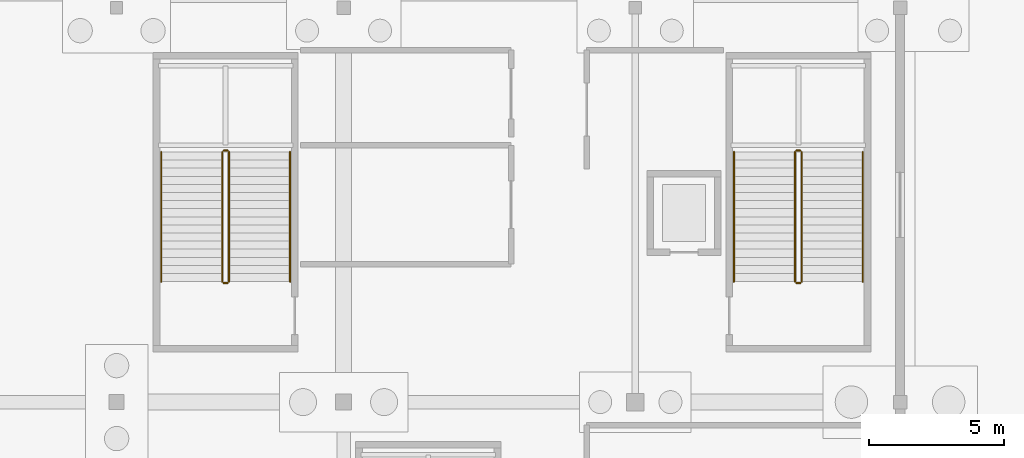
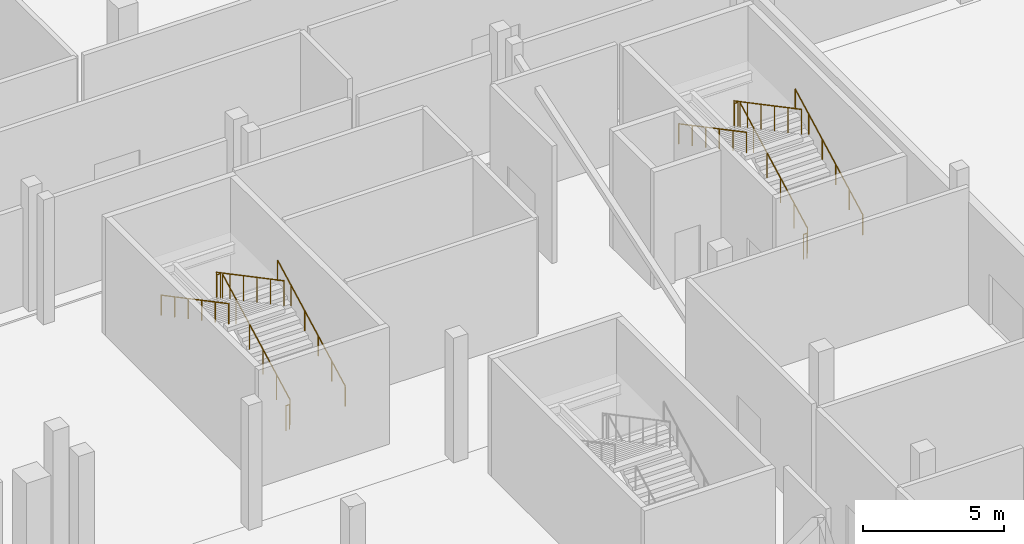
# One storey, part 83 of 89: 12 railings.
"""IFC4 building model written with IfcOpenShell, lengths in metres."""

from ifc_helpers import new_model, si_unit, direction, frame, origin, origin_2d, place, context, subcontext, project, spatial, circle, extrude, material, type_object, element, save


model = new_model("IFC4")

# Units and contexts
model_context = context("Model", 3, precision=1e-05, world=origin(), true_north=direction((0.0, 1.0)))
body_context = subcontext(model_context, "Body", "Model", "MODEL_VIEW")
ifc_project = project(units=[si_unit("LENGTHUNIT", "METRE"), si_unit("AREAUNIT", "SQUARE_METRE"), si_unit("VOLUMEUNIT", "CUBIC_METRE"), si_unit("PLANEANGLEUNIT", "RADIAN"), si_unit("MASSUNIT", "GRAM", prefix="KILO")], contexts=[model_context])

# Site, building, storey
site_placement = place(None, origin())
site = spatial("IfcSite", under=ifc_project, at=site_placement, CompositionType="ELEMENT")
building_placement = place(site_placement, origin())
building = spatial("IfcBuilding", under=site, at=building_placement, Name="Koshinbarg Plaza Stadium", CompositionType="ELEMENT")
storey_placement = place(building_placement, origin())
storey = spatial("IfcBuildingStorey", under=building, at=storey_placement, Name="L00", CompositionType="ELEMENT", Elevation=0.0)

# Railings
ifc_material_1 = material(Name="Galvanized painted steel guardrail", Category="steel")
railing_type_1 = type_object("IfcRailingType", Name="RL-GUARD-1100", PredefinedType="GUARDRAIL", material=ifc_material_1)
railing_1_placement = place(storey_placement, frame((214.760009765625, 116.360107421875, 0.158935546875)))
element("IfcRailing", 1, at=railing_1_placement, inside=storey, type_object=railing_type_1, Name="L00 C10 stair guard 1", PredefinedType="GUARDRAIL", context=body_context, shape_type="SweptSolid", body=[
    extrude(circle(Radius=0.02392578125, at=origin_2d()), frame((0.0, 0.0, 1.076171875), z_axis=(0.0, 0.883792290195, 0.467879458614), x_axis=(-1.0, 0.0, 0.0)), (0.0, 0.0, 1.0), 5.430908203125),
    extrude(circle(Radius=0.02099609375, at=origin_2d()), origin(), (0.0, 0.0, 1.0), 1.052001953125),
    extrude(circle(Radius=0.02099609375, at=origin_2d()), frame((0.0, 0.9599609375, 0.50830078125)), (0.0, 0.0, 1.0), 1.052001953125),
    extrude(circle(Radius=0.02099609375, at=origin_2d()), frame((0.0, 1.919921875, 1.016357421875)), (0.0, 0.0, 1.0), 1.052001953125),
    extrude(circle(Radius=0.02099609375, at=origin_2d()), frame((0.0, 2.8798828125, 1.524658203125)), (0.0, 0.0, 1.0), 1.052001953125),
    extrude(circle(Radius=0.02099609375, at=origin_2d()), frame((0.0, 3.83984375, 2.03271484375)), (0.0, 0.0, 1.0), 1.052001953125),
    extrude(circle(Radius=0.02099609375, at=origin_2d()), frame((0.0, 4.7998046875, 2.541015625)), (0.0, 0.0, 1.0), 1.052001953125),
])
railing_2_placement = place(storey_placement, frame((214.7099609375, 121.2099609375, 2.699951171875)))
element("IfcRailing", 2, at=railing_2_placement, inside=storey, type_object=railing_type_1, Name="L00 C10 stair guard 2", PredefinedType="GUARDRAIL", context=body_context, shape_type="SweptSolid", body=[
    extrude(circle(Radius=0.02392578125, at=origin_2d()), frame((0.0, 0.0, 1.076171875), z_axis=(-1.0, 0.0, 0.0), x_axis=(0.0, -1.0, 0.0)), (0.0, 0.0, 1.0), 0.14990234375),
    extrude(circle(Radius=0.02099609375, at=origin_2d()), origin(), (0.0, 0.0, 1.0), 1.052001953125),
    extrude(circle(Radius=0.02099609375, at=origin_2d()), frame((-0.14990234375, 0.0, 0.0)), (0.0, 0.0, 1.0), 1.052001953125),
])
railing_3_placement = place(storey_placement, frame((214.510009765625, 121.159912109375, 2.85888671875)))
element("IfcRailing", 3, at=railing_3_placement, inside=storey, type_object=railing_type_1, Name="L00 C10 stair guard 3", PredefinedType="GUARDRAIL", context=body_context, shape_type="SweptSolid", body=[
    extrude(circle(Radius=0.02392578125, at=origin_2d()), frame((0.0, 0.0, 1.076171875), z_axis=(0.0, -0.883792290195, 0.467879458614), x_axis=(1.0, 0.0, 0.0)), (0.0, 0.0, 1.0), 5.430908203125),
    extrude(circle(Radius=0.02099609375, at=origin_2d()), origin(), (0.0, 0.0, 1.0), 1.052001953125),
    extrude(circle(Radius=0.02099609375, at=origin_2d()), frame((0.0, -0.9599609375, 0.50830078125)), (0.0, 0.0, 1.0), 1.052001953125),
    extrude(circle(Radius=0.02099609375, at=origin_2d()), frame((0.0, -1.919921875, 1.016357421875)), (0.0, 0.0, 1.0), 1.052001953125),
    extrude(circle(Radius=0.02099609375, at=origin_2d()), frame((0.0, -2.8798828125, 1.524658203125)), (0.0, 0.0, 1.0), 1.052001953125),
    extrude(circle(Radius=0.02099609375, at=origin_2d()), frame((0.0, -3.83984375, 2.03271484375)), (0.0, 0.0, 1.0), 1.052001953125),
    extrude(circle(Radius=0.02099609375, at=origin_2d()), frame((0.0, -4.7998046875, 2.541015625)), (0.0, 0.0, 1.0), 1.052001953125),
])
railing_4_placement = place(storey_placement, frame((214.7099609375, 116.31005859375, 0.0)))
element("IfcRailing", 4, at=railing_4_placement, inside=storey, type_object=railing_type_1, Name="L00 C10 stair guard 4", PredefinedType="GUARDRAIL", context=body_context, shape_type="SweptSolid", body=[
    extrude(circle(Radius=0.02392578125, at=origin_2d()), frame((0.0, 0.0, 1.076171875), z_axis=(-1.0, 0.0, 0.0), x_axis=(0.0, -1.0, 0.0)), (0.0, 0.0, 1.0), 0.14990234375),
    extrude(circle(Radius=0.02099609375, at=origin_2d()), origin(), (0.0, 0.0, 1.0), 1.052001953125),
    extrude(circle(Radius=0.02099609375, at=origin_2d()), frame((-0.14990234375, 0.0, 0.0)), (0.0, 0.0, 1.0), 1.052001953125),
])
railing_5_placement = place(storey_placement, frame((193.56005859375, 116.360107421875, 0.158935546875)))
element("IfcRailing", 5, at=railing_5_placement, inside=storey, type_object=railing_type_1, Name="L00 VL08 stair guard 1", PredefinedType="GUARDRAIL", context=body_context, shape_type="SweptSolid", body=[
    extrude(circle(Radius=0.02392578125, at=origin_2d()), frame((0.0, 0.0, 1.076171875), z_axis=(0.0, 0.883792290195, 0.467879458614), x_axis=(-1.0, 0.0, 0.0)), (0.0, 0.0, 1.0), 5.430908203125),
    extrude(circle(Radius=0.02099609375, at=origin_2d()), origin(), (0.0, 0.0, 1.0), 1.052001953125),
    extrude(circle(Radius=0.02099609375, at=origin_2d()), frame((0.0, 0.9599609375, 0.50830078125)), (0.0, 0.0, 1.0), 1.052001953125),
    extrude(circle(Radius=0.02099609375, at=origin_2d()), frame((0.0, 1.919921875, 1.016357421875)), (0.0, 0.0, 1.0), 1.052001953125),
    extrude(circle(Radius=0.02099609375, at=origin_2d()), frame((0.0, 2.8798828125, 1.524658203125)), (0.0, 0.0, 1.0), 1.052001953125),
    extrude(circle(Radius=0.02099609375, at=origin_2d()), frame((0.0, 3.83984375, 2.03271484375)), (0.0, 0.0, 1.0), 1.052001953125),
    extrude(circle(Radius=0.02099609375, at=origin_2d()), frame((0.0, 4.7998046875, 2.541015625)), (0.0, 0.0, 1.0), 1.052001953125),
])
railing_6_placement = place(storey_placement, frame((193.510009765625, 121.2099609375, 2.699951171875)))
element("IfcRailing", 6, at=railing_6_placement, inside=storey, type_object=railing_type_1, Name="L00 VL08 stair guard 2", PredefinedType="GUARDRAIL", context=body_context, shape_type="SweptSolid", body=[
    extrude(circle(Radius=0.02392578125, at=origin_2d()), frame((0.0, 0.0, 1.076171875), z_axis=(-1.0, 0.0, 0.0), x_axis=(0.0, -1.0, 0.0)), (0.0, 0.0, 1.0), 0.14990234375),
    extrude(circle(Radius=0.02099609375, at=origin_2d()), origin(), (0.0, 0.0, 1.0), 1.052001953125),
    extrude(circle(Radius=0.02099609375, at=origin_2d()), frame((-0.14990234375, 0.0, 0.0)), (0.0, 0.0, 1.0), 1.052001953125),
])
railing_7_placement = place(storey_placement, frame((193.31005859375, 121.159912109375, 2.85888671875)))
element("IfcRailing", 7, at=railing_7_placement, inside=storey, type_object=railing_type_1, Name="L00 VL08 stair guard 3", PredefinedType="GUARDRAIL", context=body_context, shape_type="SweptSolid", body=[
    extrude(circle(Radius=0.02392578125, at=origin_2d()), frame((0.0, 0.0, 1.076171875), z_axis=(0.0, -0.883792290195, 0.467879458614), x_axis=(1.0, 0.0, 0.0)), (0.0, 0.0, 1.0), 5.430908203125),
    extrude(circle(Radius=0.02099609375, at=origin_2d()), origin(), (0.0, 0.0, 1.0), 1.052001953125),
    extrude(circle(Radius=0.02099609375, at=origin_2d()), frame((0.0, -0.9599609375, 0.50830078125)), (0.0, 0.0, 1.0), 1.052001953125),
    extrude(circle(Radius=0.02099609375, at=origin_2d()), frame((0.0, -1.919921875, 1.016357421875)), (0.0, 0.0, 1.0), 1.052001953125),
    extrude(circle(Radius=0.02099609375, at=origin_2d()), frame((0.0, -2.8798828125, 1.524658203125)), (0.0, 0.0, 1.0), 1.052001953125),
    extrude(circle(Radius=0.02099609375, at=origin_2d()), frame((0.0, -3.83984375, 2.03271484375)), (0.0, 0.0, 1.0), 1.052001953125),
    extrude(circle(Radius=0.02099609375, at=origin_2d()), frame((0.0, -4.7998046875, 2.541015625)), (0.0, 0.0, 1.0), 1.052001953125),
])
railing_8_placement = place(storey_placement, frame((193.510009765625, 116.31005859375, 0.0)))
element("IfcRailing", 8, at=railing_8_placement, inside=storey, type_object=railing_type_1, Name="L00 VL08 stair guard 4", PredefinedType="GUARDRAIL", context=body_context, shape_type="SweptSolid", body=[
    extrude(circle(Radius=0.02392578125, at=origin_2d()), frame((0.0, 0.0, 1.076171875), z_axis=(-1.0, 0.0, 0.0), x_axis=(0.0, -1.0, 0.0)), (0.0, 0.0, 1.0), 0.14990234375),
    extrude(circle(Radius=0.02099609375, at=origin_2d()), origin(), (0.0, 0.0, 1.0), 1.052001953125),
    extrude(circle(Radius=0.02099609375, at=origin_2d()), frame((-0.14990234375, 0.0, 0.0)), (0.0, 0.0, 1.0), 1.052001953125),
])
ifc_material_2 = material(Name="Brushed stainless steel handrail", Category="steel")
railing_type_2 = type_object("IfcRailingType", Name="RL-HAND-900", PredefinedType="HANDRAIL", material=ifc_material_2)
railing_9_placement = place(storey_placement, frame((217.02001953125, 116.360107421875, 0.158935546875)))
element("IfcRailing", 9, at=railing_9_placement, inside=storey, type_object=railing_type_2, Name="L00 C10 stair handrail 1", PredefinedType="HANDRAIL", context=body_context, shape_type="SweptSolid", body=[
    extrude(circle(Radius=0.02392578125, at=origin_2d()), frame((0.0, 0.0, 0.8759765625), z_axis=(0.0, 0.883792290195, 0.467879458614), x_axis=(-1.0, 0.0, 0.0)), (0.0, 0.0, 1.0), 5.430908203125),
    extrude(circle(Radius=0.02099609375, at=origin_2d()), origin(), (0.0, 0.0, 1.0), 0.851806640625),
    extrude(circle(Radius=0.02099609375, at=origin_2d()), frame((0.0, 0.9599609375, 0.50830078125)), (0.0, 0.0, 1.0), 0.851806640625),
    extrude(circle(Radius=0.02099609375, at=origin_2d()), frame((0.0, 1.919921875, 1.016357421875)), (0.0, 0.0, 1.0), 0.851806640625),
    extrude(circle(Radius=0.02099609375, at=origin_2d()), frame((0.0, 2.8798828125, 1.524658203125)), (0.0, 0.0, 1.0), 0.851806640625),
    extrude(circle(Radius=0.02099609375, at=origin_2d()), frame((0.0, 3.83984375, 2.03271484375)), (0.0, 0.0, 1.0), 0.851806640625),
    extrude(circle(Radius=0.02099609375, at=origin_2d()), frame((0.0, 4.7998046875, 2.541015625)), (0.0, 0.0, 1.0), 0.851806640625),
])
railing_10_placement = place(storey_placement, frame((212.25, 121.159912109375, 2.85888671875)))
element("IfcRailing", 10, at=railing_10_placement, inside=storey, type_object=railing_type_2, Name="L00 C10 stair handrail 2", PredefinedType="HANDRAIL", context=body_context, shape_type="SweptSolid", body=[
    extrude(circle(Radius=0.02392578125, at=origin_2d()), frame((0.0, 0.0, 0.8759765625), z_axis=(0.0, -0.883792290195, 0.467879458614), x_axis=(1.0, 0.0, 0.0)), (0.0, 0.0, 1.0), 5.430908203125),
    extrude(circle(Radius=0.02099609375, at=origin_2d()), origin(), (0.0, 0.0, 1.0), 0.851806640625),
    extrude(circle(Radius=0.02099609375, at=origin_2d()), frame((0.0, -0.9599609375, 0.50830078125)), (0.0, 0.0, 1.0), 0.851806640625),
    extrude(circle(Radius=0.02099609375, at=origin_2d()), frame((0.0, -1.919921875, 1.016357421875)), (0.0, 0.0, 1.0), 0.851806640625),
    extrude(circle(Radius=0.02099609375, at=origin_2d()), frame((0.0, -2.8798828125, 1.524658203125)), (0.0, 0.0, 1.0), 0.851806640625),
    extrude(circle(Radius=0.02099609375, at=origin_2d()), frame((0.0, -3.83984375, 2.03271484375)), (0.0, 0.0, 1.0), 0.851806640625),
    extrude(circle(Radius=0.02099609375, at=origin_2d()), frame((0.0, -4.7998046875, 2.541015625)), (0.0, 0.0, 1.0), 0.851806640625),
])
railing_11_placement = place(storey_placement, frame((195.820068359375, 116.360107421875, 0.158935546875)))
element("IfcRailing", 11, at=railing_11_placement, inside=storey, type_object=railing_type_2, Name="L00 VL08 stair handrail 1", PredefinedType="HANDRAIL", context=body_context, shape_type="SweptSolid", body=[
    extrude(circle(Radius=0.02392578125, at=origin_2d()), frame((0.0, 0.0, 0.8759765625), z_axis=(0.0, 0.883792290195, 0.467879458614), x_axis=(-1.0, 0.0, 0.0)), (0.0, 0.0, 1.0), 5.430908203125),
    extrude(circle(Radius=0.02099609375, at=origin_2d()), origin(), (0.0, 0.0, 1.0), 0.851806640625),
    extrude(circle(Radius=0.02099609375, at=origin_2d()), frame((0.0, 0.9599609375, 0.50830078125)), (0.0, 0.0, 1.0), 0.851806640625),
    extrude(circle(Radius=0.02099609375, at=origin_2d()), frame((0.0, 1.919921875, 1.016357421875)), (0.0, 0.0, 1.0), 0.851806640625),
    extrude(circle(Radius=0.02099609375, at=origin_2d()), frame((0.0, 2.8798828125, 1.524658203125)), (0.0, 0.0, 1.0), 0.851806640625),
    extrude(circle(Radius=0.02099609375, at=origin_2d()), frame((0.0, 3.83984375, 2.03271484375)), (0.0, 0.0, 1.0), 0.851806640625),
    extrude(circle(Radius=0.02099609375, at=origin_2d()), frame((0.0, 4.7998046875, 2.541015625)), (0.0, 0.0, 1.0), 0.851806640625),
])
railing_12_placement = place(storey_placement, frame((191.050048828125, 121.159912109375, 2.85888671875)))
element("IfcRailing", 12, at=railing_12_placement, inside=storey, type_object=railing_type_2, Name="L00 VL08 stair handrail 2", PredefinedType="HANDRAIL", context=body_context, shape_type="SweptSolid", body=[
    extrude(circle(Radius=0.02392578125, at=origin_2d()), frame((0.0, 0.0, 0.8759765625), z_axis=(0.0, -0.883792290195, 0.467879458614), x_axis=(1.0, 0.0, 0.0)), (0.0, 0.0, 1.0), 5.430908203125),
    extrude(circle(Radius=0.02099609375, at=origin_2d()), origin(), (0.0, 0.0, 1.0), 0.851806640625),
    extrude(circle(Radius=0.02099609375, at=origin_2d()), frame((0.0, -0.9599609375, 0.50830078125)), (0.0, 0.0, 1.0), 0.851806640625),
    extrude(circle(Radius=0.02099609375, at=origin_2d()), frame((0.0, -1.919921875, 1.016357421875)), (0.0, 0.0, 1.0), 0.851806640625),
    extrude(circle(Radius=0.02099609375, at=origin_2d()), frame((0.0, -2.8798828125, 1.524658203125)), (0.0, 0.0, 1.0), 0.851806640625),
    extrude(circle(Radius=0.02099609375, at=origin_2d()), frame((0.0, -3.83984375, 2.03271484375)), (0.0, 0.0, 1.0), 0.851806640625),
    extrude(circle(Radius=0.02099609375, at=origin_2d()), frame((0.0, -4.7998046875, 2.541015625)), (0.0, 0.0, 1.0), 0.851806640625),
])

save(model, "model.ifc")
